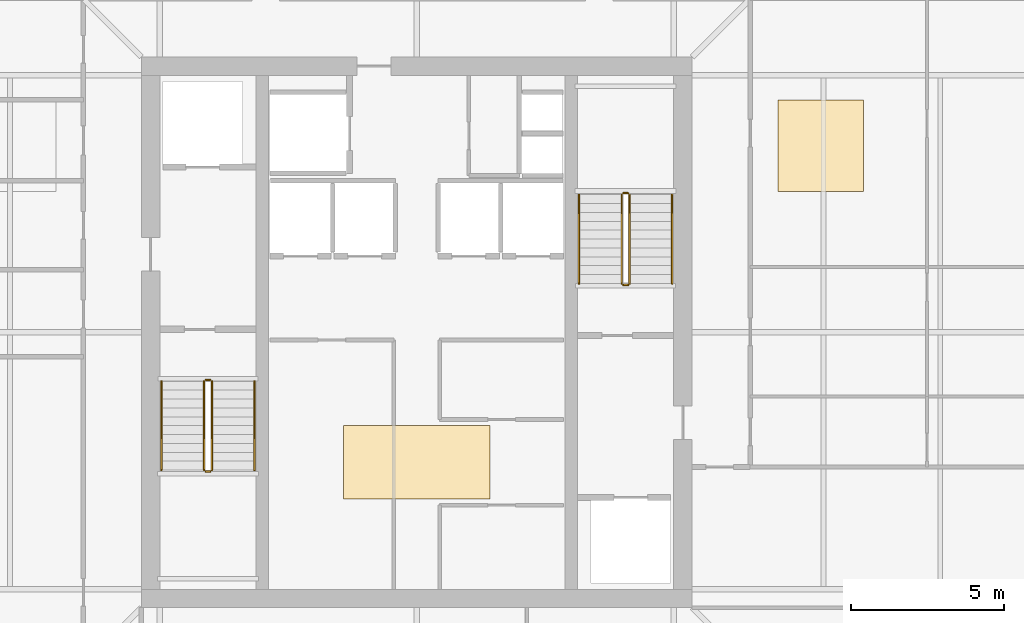
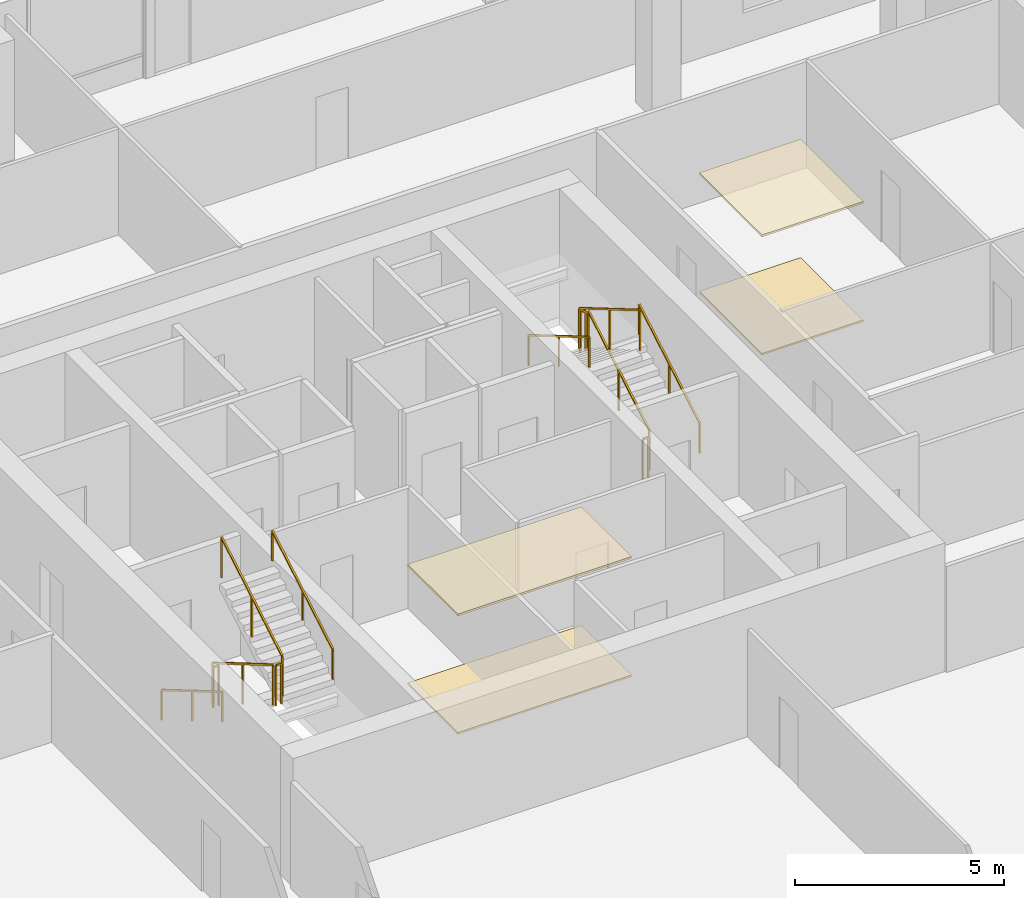
# One storey, part 21 of 22: 12 railings, 4 coverings.
"""IFC4 building model written with IfcOpenShell, lengths in metres."""

from ifc_helpers import new_model, si_unit, direction, frame, origin, origin_2d, place, context, subcontext, project, spatial, polyline, rectangle, outline, extrude, material, layer, layer_set, type_object, element, save


model = new_model("IFC4")

# Units and contexts
model_context = context("Model", 3, precision=1e-05, world=origin(), true_north=direction((0.0, 1.0)))
body_context = subcontext(model_context, "Body", "Model", "MODEL_VIEW")
ifc_project = project(units=[si_unit("LENGTHUNIT", "METRE"), si_unit("AREAUNIT", "SQUARE_METRE"), si_unit("VOLUMEUNIT", "CUBIC_METRE"), si_unit("PLANEANGLEUNIT", "RADIAN"), si_unit("MASSUNIT", "GRAM", prefix="KILO")], contexts=[model_context])

# Site, building, storey
site_placement = place(None, origin())
site = spatial("IfcSite", under=ifc_project, at=site_placement, CompositionType="ELEMENT")
building_placement = place(site_placement, origin())
building = spatial("IfcBuilding", under=site, at=building_placement, Name="Belovzor Exchange Tower", CompositionType="ELEMENT")
storey_placement = place(building_placement, frame((0.0, 0.0, 336.75)))
storey = spatial("IfcBuildingStorey", under=building, at=storey_placement, Name="L84", CompositionType="ELEMENT", Elevation=336.75)

# Railings
ifc_material_1 = material(Name="Stainless Steel Grade 304", Category="steel")
railing_type_1 = type_object("IfcRailingType", Name="Brushed Stainless Steel Stair Handrail 900", PredefinedType="HANDRAIL", material=ifc_material_1)
railing_1_placement = place(storey_placement, frame((20.449951171875, 27.199951171875, 0.17041015625)))
element("IfcRailing", 1, at=railing_1_placement, inside=storey, type_object=railing_type_1, Name="L84 ST-1 stair handrail 1", PredefinedType="HANDRAIL", context=body_context, shape_type="SweptSolid", body=[
    extrude(rectangle(XDim=0.048095703125, YDim=0.048095703125, at=origin_2d()), frame((0.0, 0.0, 0.8759765625), z_axis=(0.0, -0.86209462966, 0.506747323142), x_axis=(1.0, 0.0, 0.0)), (0.0, 0.0, 1.0), 3.36376953125),
    extrude(rectangle(XDim=0.0419921875, YDim=0.0419921875, at=origin_2d()), origin(), (0.0, 0.0, 1.0), 0.851806640625),
    extrude(rectangle(XDim=0.0419921875, YDim=0.0419921875, at=origin_2d()), frame((0.0, -1.449951171875, 0.852294921875)), (0.0, 0.0, 1.0), 0.851806640625),
    extrude(rectangle(XDim=0.0419921875, YDim=0.0419921875, at=origin_2d()), frame((0.0, -2.89990234375, 1.70458984375)), (0.0, 0.0, 1.0), 0.851806640625),
])
railing_2_placement = place(storey_placement, frame((23.5, 24.300048828125, 2.04541015625)))
element("IfcRailing", 2, at=railing_2_placement, inside=storey, type_object=railing_type_1, Name="L84 ST-1 stair handrail 2", PredefinedType="HANDRAIL", context=body_context, shape_type="SweptSolid", body=[
    extrude(rectangle(XDim=0.048095703125, YDim=0.048095703125, at=origin_2d()), frame((0.0, 0.0, 0.8759765625), z_axis=(0.0, 0.86209462966, 0.506747323142), x_axis=(-1.0, 0.0, 0.0)), (0.0, 0.0, 1.0), 3.36376953125),
    extrude(rectangle(XDim=0.0419921875, YDim=0.0419921875, at=origin_2d()), origin(), (0.0, 0.0, 1.0), 0.851806640625),
    extrude(rectangle(XDim=0.0419921875, YDim=0.0419921875, at=origin_2d()), frame((0.0, 1.449951171875, 0.852294921875)), (0.0, 0.0, 1.0), 0.851806640625),
    extrude(rectangle(XDim=0.0419921875, YDim=0.0419921875, at=origin_2d()), frame((0.0, 2.89990234375, 1.70458984375)), (0.0, 0.0, 1.0), 0.851806640625),
])
railing_3_placement = place(storey_placement, frame((37.14990234375, 30.39990234375, 0.17041015625)))
element("IfcRailing", 3, at=railing_3_placement, inside=storey, type_object=railing_type_1, Name="L84 ST-2 stair handrail 1", PredefinedType="HANDRAIL", context=body_context, shape_type="SweptSolid", body=[
    extrude(rectangle(XDim=0.048095703125, YDim=0.048095703125, at=origin_2d()), frame((0.0, 0.0, 0.8759765625), z_axis=(0.0, 0.862113265706, 0.506715617574), x_axis=(-1.0, 0.0, 0.0)), (0.0, 0.0, 1.0), 3.364013671875),
    extrude(rectangle(XDim=0.0419921875, YDim=0.0419921875, at=origin_2d()), origin(), (0.0, 0.0, 1.0), 0.851806640625),
    extrude(rectangle(XDim=0.0419921875, YDim=0.0419921875, at=origin_2d()), frame((0.0, 1.4501953125, 0.852294921875)), (0.0, 0.0, 1.0), 0.851806640625),
    extrude(rectangle(XDim=0.0419921875, YDim=0.0419921875, at=origin_2d()), frame((0.0, 2.900146484375, 1.70458984375)), (0.0, 0.0, 1.0), 0.851806640625),
])
railing_4_placement = place(storey_placement, frame((34.10009765625, 33.300048828125, 2.04541015625)))
element("IfcRailing", 4, at=railing_4_placement, inside=storey, type_object=railing_type_1, Name="L84 ST-2 stair handrail 2", PredefinedType="HANDRAIL", context=body_context, shape_type="SweptSolid", body=[
    extrude(rectangle(XDim=0.048095703125, YDim=0.048095703125, at=origin_2d()), frame((0.0, 0.0, 0.8759765625), z_axis=(0.0, -0.862113265706, 0.506715617574), x_axis=(1.0, 0.0, 0.0)), (0.0, 0.0, 1.0), 3.364013671875),
    extrude(rectangle(XDim=0.0419921875, YDim=0.0419921875, at=origin_2d()), origin(), (0.0, 0.0, 1.0), 0.851806640625),
    extrude(rectangle(XDim=0.0419921875, YDim=0.0419921875, at=origin_2d()), frame((0.0, -1.4501953125, 0.852294921875)), (0.0, 0.0, 1.0), 0.851806640625),
    extrude(rectangle(XDim=0.0419921875, YDim=0.0419921875, at=origin_2d()), frame((0.0, -2.900146484375, 1.70458984375)), (0.0, 0.0, 1.0), 0.851806640625),
])
ifc_material_2 = material(Name="Steel S355", Category="steel")
railing_type_2 = type_object("IfcRailingType", Name="Painted Steel Stairwell Guardrail 1200", PredefinedType="GUARDRAIL", material=ifc_material_2)
railing_5_placement = place(storey_placement, frame((21.85009765625, 27.199951171875, 0.17041015625)))
element("IfcRailing", 5, at=railing_5_placement, inside=storey, type_object=railing_type_2, Name="L84 ST-1 stair guard 1", PredefinedType="GUARDRAIL", context=body_context, shape_type="SweptSolid", body=[
    extrude(rectangle(XDim=0.048095703125, YDim=0.048095703125, at=origin_2d()), frame((0.0, 0.0, 1.17578125), z_axis=(0.0, -0.86209462966, 0.506747323142), x_axis=(1.0, 0.0, 0.0)), (0.0, 0.0, 1.0), 3.36376953125),
    extrude(rectangle(XDim=0.0419921875, YDim=0.0419921875, at=origin_2d()), origin(), (0.0, 0.0, 1.0), 1.15185546875),
    extrude(rectangle(XDim=0.0419921875, YDim=0.0419921875, at=origin_2d()), frame((0.0, -1.449951171875, 0.852294921875)), (0.0, 0.0, 1.0), 1.15185546875),
    extrude(rectangle(XDim=0.0419921875, YDim=0.0419921875, at=origin_2d()), frame((0.0, -2.89990234375, 1.70458984375)), (0.0, 0.0, 1.0), 1.15185546875),
])
railing_6_placement = place(storey_placement, frame((21.89990234375, 24.25, 1.875)))
element("IfcRailing", 6, at=railing_6_placement, inside=storey, type_object=railing_type_2, Name="L84 ST-1 stair guard 2", PredefinedType="GUARDRAIL", context=body_context, shape_type="SweptSolid", body=[
    extrude(rectangle(XDim=0.048095703125, YDim=0.048095703125, at=origin_2d()), frame((0.0, 0.0, 1.17578125), z_axis=(1.0, 0.0, 0.0), x_axis=(0.0, 1.0, 0.0)), (0.0, 0.0, 1.0), 0.150146484375),
    extrude(rectangle(XDim=0.0419921875, YDim=0.0419921875, at=origin_2d()), origin(), (0.0, 0.0, 1.0), 1.15185546875),
    extrude(rectangle(XDim=0.0419921875, YDim=0.0419921875, at=origin_2d()), frame((0.150146484375, 0.0, 0.0)), (0.0, 0.0, 1.0), 1.15185546875),
])
railing_7_placement = place(storey_placement, frame((22.10009765625, 24.300048828125, 2.04541015625)))
element("IfcRailing", 7, at=railing_7_placement, inside=storey, type_object=railing_type_2, Name="L84 ST-1 stair guard 3", PredefinedType="GUARDRAIL", context=body_context, shape_type="SweptSolid", body=[
    extrude(rectangle(XDim=0.048095703125, YDim=0.048095703125, at=origin_2d()), frame((0.0, 0.0, 1.17578125), z_axis=(0.0, 0.86209462966, 0.506747323142), x_axis=(-1.0, 0.0, 0.0)), (0.0, 0.0, 1.0), 3.36376953125),
    extrude(rectangle(XDim=0.0419921875, YDim=0.0419921875, at=origin_2d()), origin(), (0.0, 0.0, 1.0), 1.15185546875),
    extrude(rectangle(XDim=0.0419921875, YDim=0.0419921875, at=origin_2d()), frame((0.0, 1.449951171875, 0.852294921875)), (0.0, 0.0, 1.0), 1.15185546875),
    extrude(rectangle(XDim=0.0419921875, YDim=0.0419921875, at=origin_2d()), frame((0.0, 2.89990234375, 1.70458984375)), (0.0, 0.0, 1.0), 1.15185546875),
])
railing_8_placement = place(storey_placement, frame((21.89990234375, 27.25, 0.0)))
element("IfcRailing", 8, at=railing_8_placement, inside=storey, type_object=railing_type_2, Name="L84 ST-1 stair guard 4", PredefinedType="GUARDRAIL", context=body_context, shape_type="SweptSolid", body=[
    extrude(rectangle(XDim=0.048095703125, YDim=0.048095703125, at=origin_2d()), frame((0.0, 0.0, 1.17578125), z_axis=(1.0, 0.0, 0.0), x_axis=(0.0, 1.0, 0.0)), (0.0, 0.0, 1.0), 0.150146484375),
    extrude(rectangle(XDim=0.0419921875, YDim=0.0419921875, at=origin_2d()), origin(), (0.0, 0.0, 1.0), 1.15185546875),
    extrude(rectangle(XDim=0.0419921875, YDim=0.0419921875, at=origin_2d()), frame((0.150146484375, 0.0, 0.0)), (0.0, 0.0, 1.0), 1.15185546875),
])
railing_9_placement = place(storey_placement, frame((35.75, 30.39990234375, 0.17041015625)))
element("IfcRailing", 9, at=railing_9_placement, inside=storey, type_object=railing_type_2, Name="L84 ST-2 stair guard 1", PredefinedType="GUARDRAIL", context=body_context, shape_type="SweptSolid", body=[
    extrude(rectangle(XDim=0.048095703125, YDim=0.048095703125, at=origin_2d()), frame((0.0, 0.0, 1.17578125), z_axis=(0.0, 0.862113265706, 0.506715617574), x_axis=(-1.0, 0.0, 0.0)), (0.0, 0.0, 1.0), 3.364013671875),
    extrude(rectangle(XDim=0.0419921875, YDim=0.0419921875, at=origin_2d()), origin(), (0.0, 0.0, 1.0), 1.15185546875),
    extrude(rectangle(XDim=0.0419921875, YDim=0.0419921875, at=origin_2d()), frame((0.0, 1.4501953125, 0.852294921875)), (0.0, 0.0, 1.0), 1.15185546875),
    extrude(rectangle(XDim=0.0419921875, YDim=0.0419921875, at=origin_2d()), frame((0.0, 2.900146484375, 1.70458984375)), (0.0, 0.0, 1.0), 1.15185546875),
])
railing_10_placement = place(storey_placement, frame((35.699951171875, 33.35009765625, 1.875)))
element("IfcRailing", 10, at=railing_10_placement, inside=storey, type_object=railing_type_2, Name="L84 ST-2 stair guard 2", PredefinedType="GUARDRAIL", context=body_context, shape_type="SweptSolid", body=[
    extrude(rectangle(XDim=0.048095703125, YDim=0.048095703125, at=origin_2d()), frame((0.0, 0.0, 1.17578125), z_axis=(-1.0, 0.0, 0.0), x_axis=(0.0, -1.0, 0.0)), (0.0, 0.0, 1.0), 0.14990234375),
    extrude(rectangle(XDim=0.0419921875, YDim=0.0419921875, at=origin_2d()), origin(), (0.0, 0.0, 1.0), 1.15185546875),
    extrude(rectangle(XDim=0.0419921875, YDim=0.0419921875, at=origin_2d()), frame((-0.14990234375, 0.0, 0.0)), (0.0, 0.0, 1.0), 1.15185546875),
])
railing_11_placement = place(storey_placement, frame((35.5, 33.300048828125, 2.04541015625)))
element("IfcRailing", 11, at=railing_11_placement, inside=storey, type_object=railing_type_2, Name="L84 ST-2 stair guard 3", PredefinedType="GUARDRAIL", context=body_context, shape_type="SweptSolid", body=[
    extrude(rectangle(XDim=0.048095703125, YDim=0.048095703125, at=origin_2d()), frame((0.0, 0.0, 1.17578125), z_axis=(0.0, -0.862113265706, 0.506715617574), x_axis=(1.0, 0.0, 0.0)), (0.0, 0.0, 1.0), 3.364013671875),
    extrude(rectangle(XDim=0.0419921875, YDim=0.0419921875, at=origin_2d()), origin(), (0.0, 0.0, 1.0), 1.15185546875),
    extrude(rectangle(XDim=0.0419921875, YDim=0.0419921875, at=origin_2d()), frame((0.0, -1.4501953125, 0.852294921875)), (0.0, 0.0, 1.0), 1.15185546875),
    extrude(rectangle(XDim=0.0419921875, YDim=0.0419921875, at=origin_2d()), frame((0.0, -2.900146484375, 1.70458984375)), (0.0, 0.0, 1.0), 1.15185546875),
])
railing_12_placement = place(storey_placement, frame((35.699951171875, 30.35009765625, 0.0)))
element("IfcRailing", 12, at=railing_12_placement, inside=storey, type_object=railing_type_2, Name="L84 ST-2 stair guard 4", PredefinedType="GUARDRAIL", context=body_context, shape_type="SweptSolid", body=[
    extrude(rectangle(XDim=0.048095703125, YDim=0.048095703125, at=origin_2d()), frame((0.0, 0.0, 1.17578125), z_axis=(-1.0, 0.0, 0.0), x_axis=(0.0, -1.0, 0.0)), (0.0, 0.0, 1.0), 0.14990234375),
    extrude(rectangle(XDim=0.0419921875, YDim=0.0419921875, at=origin_2d()), origin(), (0.0, 0.0, 1.0), 1.15185546875),
    extrude(rectangle(XDim=0.0419921875, YDim=0.0419921875, at=origin_2d()), frame((-0.14990234375, 0.0, 0.0)), (0.0, 0.0, 1.0), 1.15185546875),
])

# Coverings
ifc_material_3 = material(Name="Perforated Powder-Coated Aluminium", Category="aluminium")
ifc_layer_1 = layer(ifc_material_3, 0.06005859375)
ifc_layer_set_1 = layer_set([ifc_layer_1], Name="Perforated Powder-Coated Aluminium")
covering_type_1 = type_object("IfcCoveringType", Name="Perforated Acoustic Metal Tile Suspended Ceiling 60", PredefinedType="CEILING", material=ifc_layer_set_1)
covering_1_placement = place(storey_placement, frame((0.0, 0.0, 3.449951171875)))
element("IfcCovering", 13, at=covering_1_placement, inside=storey, type_object=covering_type_1, Name="CLG-AC60 Suspended Ceiling CLG-L84-LOB", PredefinedType="CEILING", context=body_context, shape_type="SweptSolid", body=[
    extrude(outline(polyline([(26.39990234375, 23.35009765625), (31.199951171875, 23.35009765625), (31.199951171875, 25.75), (26.39990234375, 25.75), (26.39990234375, 23.35009765625)])), origin(), (0.0, 0.0, 1.0), 0.06005859375),
])
covering_2_placement = place(storey_placement, frame((0.0, 0.0, 3.449951171875)))
element("IfcCovering", 14, at=covering_2_placement, inside=storey, type_object=covering_type_1, Name="CLG-AC60 Suspended Ceiling CLG-L84-Z2", PredefinedType="CEILING", context=body_context, shape_type="SweptSolid", body=[
    extrude(outline(polyline([(40.60009765625, 33.39990234375), (43.39990234375, 33.39990234375), (43.39990234375, 36.39990234375), (40.60009765625, 36.39990234375), (40.60009765625, 33.39990234375)])), origin(), (0.0, 0.0, 1.0), 0.06005859375),
])
ifc_material_4 = material(Name="Polished Natural Granite Tile", Category="masonry")
ifc_layer_2 = layer(ifc_material_4, 0.050048828125)
ifc_layer_set_2 = layer_set([ifc_layer_2], Name="Polished Natural Granite Tile")
covering_type_2 = type_object("IfcCoveringType", Name="Polished Karelian Granite & Raised Access Floor Finish 50", PredefinedType="FLOORING", material=ifc_layer_set_2)
covering_3_placement = place(storey_placement, origin())
element("IfcCovering", 15, at=covering_3_placement, inside=storey, type_object=covering_type_2, Name="FLR-GR50 Floor Finish FLR-L84-LOB", PredefinedType="FLOORING", context=body_context, shape_type="SweptSolid", body=[
    extrude(outline(polyline([(26.39990234375, 23.35009765625), (31.199951171875, 23.35009765625), (31.199951171875, 25.75), (26.39990234375, 25.75), (26.39990234375, 23.35009765625)])), origin(), (0.0, 0.0, 1.0), 0.050048828125),
])
covering_4_placement = place(storey_placement, origin())
element("IfcCovering", 16, at=covering_4_placement, inside=storey, type_object=covering_type_2, Name="FLR-GR50 Floor Finish FLR-L84-Z2", PredefinedType="FLOORING", context=body_context, shape_type="SweptSolid", body=[
    extrude(outline(polyline([(40.60009765625, 33.39990234375), (43.39990234375, 33.39990234375), (43.39990234375, 36.39990234375), (40.60009765625, 36.39990234375), (40.60009765625, 33.39990234375)])), origin(), (0.0, 0.0, 1.0), 0.050048828125),
])

save(model, "model.ifc")
